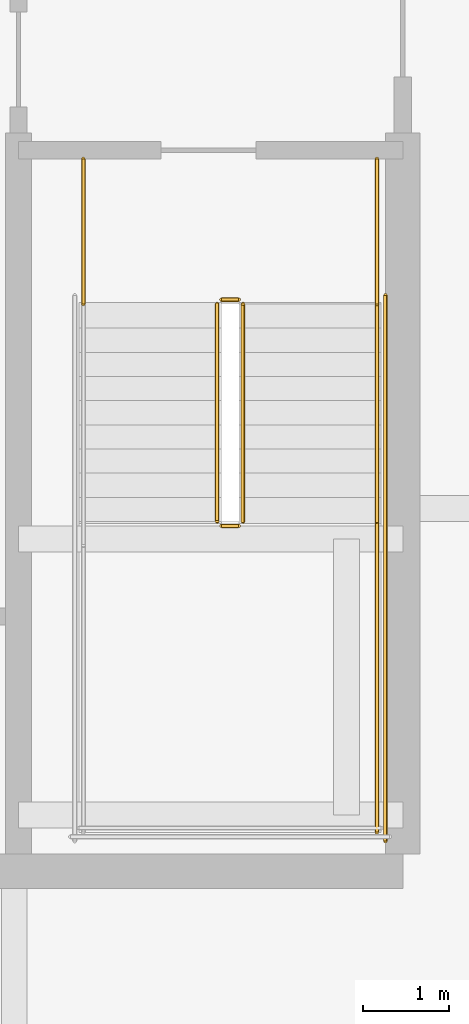
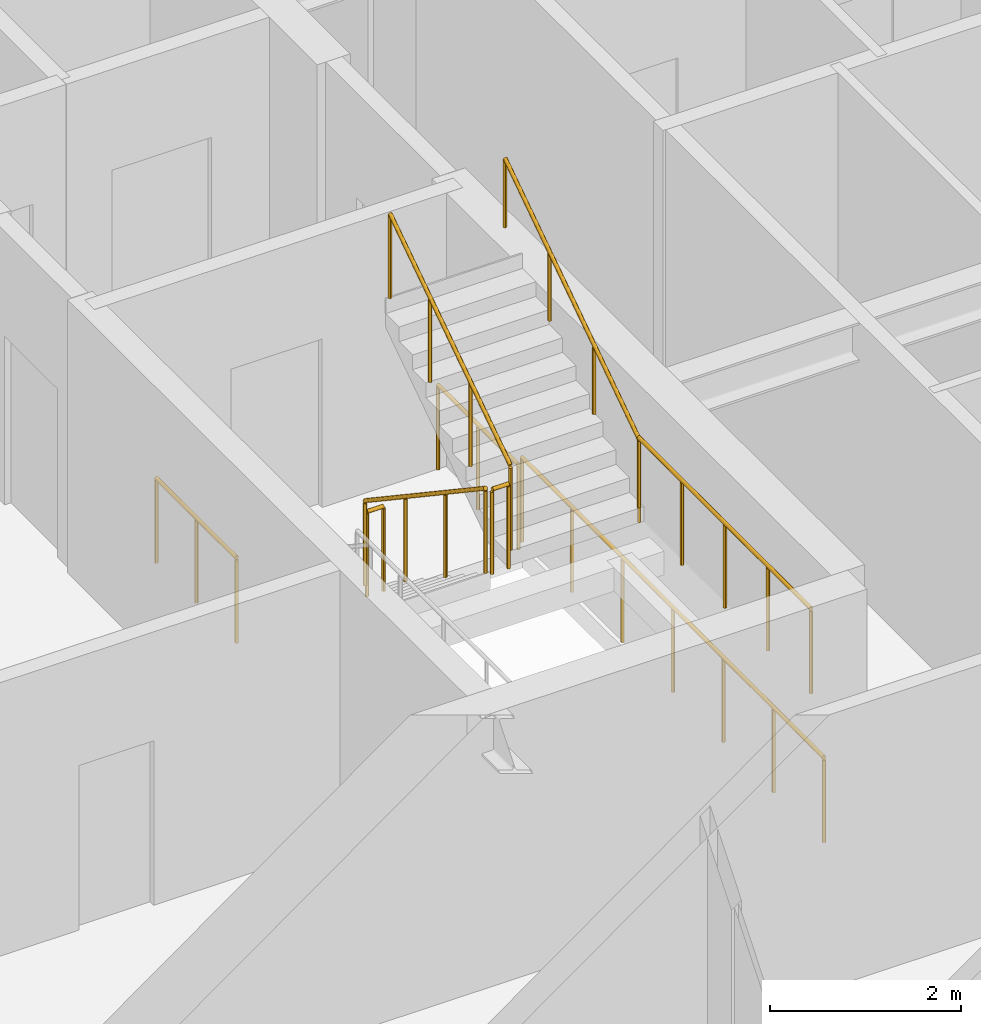
# One storey, part 33 of 34: 9 railings.
"""IFC4 building model written with IfcOpenShell, lengths in metres."""

from ifc_helpers import new_model, si_unit, direction, frame, origin, origin_2d, place, context, subcontext, project, spatial, circle, extrude, material, type_object, element, save


model = new_model("IFC4")

# Units and contexts
model_context = context("Model", 3, precision=1e-05, world=origin(), true_north=direction((0.0, 1.0)))
body_context = subcontext(model_context, "Body", "Model", "MODEL_VIEW")
ifc_project = project(units=[si_unit("LENGTHUNIT", "METRE"), si_unit("AREAUNIT", "SQUARE_METRE"), si_unit("VOLUMEUNIT", "CUBIC_METRE"), si_unit("PLANEANGLEUNIT", "RADIAN"), si_unit("MASSUNIT", "GRAM", prefix="KILO")], contexts=[model_context])

# Site, building, storey
site_placement = place(None, origin())
site = spatial("IfcSite", under=ifc_project, at=site_placement, CompositionType="ELEMENT")
building_placement = place(site_placement, origin())
building = spatial("IfcBuilding", under=site, at=building_placement, Name="Serunith Strait Residences", CompositionType="ELEMENT")
storey_placement = place(building_placement, frame((0.0, 0.0, 142.64990234375)))
storey = spatial("IfcBuildingStorey", under=building, at=storey_placement, Name="L35", CompositionType="ELEMENT", Elevation=142.64990234375)

# Railings
ifc_material = material(Name="Brushed stainless steel 316L", Category="steel")
railing_type_1 = type_object("IfcRailingType", Name="RLG-STAIR-GUARD", PredefinedType="BALUSTRADE", material=ifc_material)
railing_1_placement = place(storey_placement, frame((39.25, 23.3701171875, 0.1875)))
element("IfcRailing", 1, at=railing_1_placement, inside=storey, type_object=railing_type_1, Name="L35 ST-2 stair guard 1", PredefinedType="BALUSTRADE", context=body_context, shape_type="SweptSolid", body=[
    extrude(circle(Radius=0.02392578125, at=origin_2d()), frame((0.0, -0.001708984375, 1.0771484375), z_axis=(0.0, -0.830909170722, 0.55640807867), x_axis=(1.0, 0.0, 0.0)), (0.0, 0.0, 1.0), 3.02880859375),
    extrude(circle(Radius=0.02099609375, at=origin_2d()), origin(), (0.0, 0.0, 1.0), 1.050048828125),
    extrude(circle(Radius=0.02099609375, at=origin_2d()), frame((0.0, -0.840087890625, 0.5625)), (0.0, 0.0, 1.0), 1.050048828125),
    extrude(circle(Radius=0.02099609375, at=origin_2d()), frame((0.0, -1.679931640625, 1.125)), (0.0, 0.0, 1.0), 1.050048828125),
    extrude(circle(Radius=0.02099609375, at=origin_2d()), frame((0.0, -2.52001953125, 1.6875)), (0.0, 0.0, 1.0), 1.050048828125),
])
railing_2_placement = place(storey_placement, frame((39.300048828125, 20.800048828125, 1.875)))
element("IfcRailing", 2, at=railing_2_placement, inside=storey, type_object=railing_type_1, Name="L35 ST-2 stair guard 2", PredefinedType="BALUSTRADE", context=body_context, shape_type="SweptSolid", body=[
    extrude(circle(Radius=0.02392578125, at=origin_2d()), frame((0.001953125, 0.0, 1.076171875), z_axis=(1.0, 0.0, 0.0), x_axis=(0.0, 1.0, 0.0)), (0.0, 0.0, 1.0), 0.196044921875),
    extrude(circle(Radius=0.02099609375, at=origin_2d()), origin(), (0.0, 0.0, 1.0), 1.050048828125),
    extrude(circle(Radius=0.02099609375, at=origin_2d()), frame((0.199951171875, 0.0, 0.0)), (0.0, 0.0, 1.0), 1.050048828125),
])
railing_3_placement = place(storey_placement, frame((41.10009765625, 20.85009765625, 1.875)))
element("IfcRailing", 3, at=railing_3_placement, inside=storey, type_object=railing_type_1, Name="L35 ST-2 stair guard 4", PredefinedType="BALUSTRADE", context=body_context, shape_type="SweptSolid", body=[
    extrude(circle(Radius=0.02392578125, at=origin_2d()), frame((0.0, -0.001953125, 1.076171875), z_axis=(0.0, -1.0, 0.0), x_axis=(1.0, 0.0, 0.0)), (0.0, 0.0, 1.0), 3.59619140625),
    extrude(circle(Radius=0.02099609375, at=origin_2d()), origin(), (0.0, 0.0, 1.0), 1.050048828125),
    extrude(circle(Radius=0.02099609375, at=origin_2d()), frame((0.0, -0.89990234375, 0.0)), (0.0, 0.0, 1.0), 1.050048828125),
    extrude(circle(Radius=0.02099609375, at=origin_2d()), frame((0.0, -1.800048828125, 0.0)), (0.0, 0.0, 1.0), 1.050048828125),
    extrude(circle(Radius=0.02099609375, at=origin_2d()), frame((0.0, -2.7001953125, 0.0)), (0.0, 0.0, 1.0), 1.050048828125),
    extrude(circle(Radius=0.02099609375, at=origin_2d()), frame((0.0, -3.60009765625, 0.0)), (0.0, 0.0, 1.0), 1.050048828125),
])
railing_4_placement = place(storey_placement, frame((39.550048828125, 20.85009765625, 2.0625)))
element("IfcRailing", 4, at=railing_4_placement, inside=storey, type_object=railing_type_1, Name="L35 ST-2 stair guard 6", PredefinedType="BALUSTRADE", context=body_context, shape_type="SweptSolid", body=[
    extrude(circle(Radius=0.02392578125, at=origin_2d()), frame((0.0, 0.001708984375, 1.0771484375), z_axis=(0.0, 0.830909170722, 0.55640807867), x_axis=(-1.0, 0.0, 0.0)), (0.0, 0.0, 1.0), 3.02880859375),
    extrude(circle(Radius=0.02099609375, at=origin_2d()), origin(), (0.0, 0.0, 1.0), 1.050048828125),
    extrude(circle(Radius=0.02099609375, at=origin_2d()), frame((0.0, 0.840087890625, 0.5625)), (0.0, 0.0, 1.0), 1.050048828125),
    extrude(circle(Radius=0.02099609375, at=origin_2d()), frame((0.0, 1.679931640625, 1.125)), (0.0, 0.0, 1.0), 1.050048828125),
    extrude(circle(Radius=0.02099609375, at=origin_2d()), frame((0.0, 2.52001953125, 1.6875)), (0.0, 0.0, 1.0), 1.050048828125),
])
railing_5_placement = place(storey_placement, frame((39.300048828125, 23.419921875, 0.0)))
element("IfcRailing", 5, at=railing_5_placement, inside=storey, type_object=railing_type_1, Name="L35 ST-2 stair guard 7", PredefinedType="BALUSTRADE", context=body_context, shape_type="SweptSolid", body=[
    extrude(circle(Radius=0.02392578125, at=origin_2d()), frame((0.001953125, 0.0, 1.076171875), z_axis=(1.0, 0.0, 0.0), x_axis=(0.0, 1.0, 0.0)), (0.0, 0.0, 1.0), 0.196044921875),
    extrude(circle(Radius=0.02099609375, at=origin_2d()), origin(), (0.0, 0.0, 1.0), 1.050048828125),
    extrude(circle(Radius=0.02099609375, at=origin_2d()), frame((0.199951171875, 0.0, 0.0)), (0.0, 0.0, 1.0), 1.050048828125),
])
for number, where, name in (
    (6, (37.699951171875, 25.050048828125, 0.0), "L35 ST-2 stair guard 8"),
    (7, (41.10009765625, 25.050048828125, 0.0), "L35 ST-2 stair guard 9"),
):
    element("IfcRailing", number, at=place(storey_placement, frame(where)), inside=storey, type_object=railing_type_1, Name=name, PredefinedType="BALUSTRADE", context=body_context, shape_type="SweptSolid", body=[
        extrude(circle(Radius=0.02392578125, at=origin_2d()), frame((0.0, -0.001953125, 1.076171875), z_axis=(0.0, -1.0, 0.0), x_axis=(1.0, 0.0, 0.0)), (0.0, 0.0, 1.0), 1.676025390625),
        extrude(circle(Radius=0.02099609375, at=origin_2d()), origin(), (0.0, 0.0, 1.0), 1.050048828125),
        extrude(circle(Radius=0.02099609375, at=origin_2d()), frame((0.0, -0.83984375, 0.0)), (0.0, 0.0, 1.0), 1.050048828125),
        extrude(circle(Radius=0.02099609375, at=origin_2d()), frame((0.0, -1.679931640625, 0.0)), (0.0, 0.0, 1.0), 1.050048828125),
    ])
railing_6_placement = place(storey_placement, frame((41.199951171875, 23.469970703125, 0.0)))
element("IfcRailing", 8, at=railing_6_placement, inside=storey, type_object=railing_type_1, Name="L35 ST-2 stair guard 11", PredefinedType="BALUSTRADE", context=body_context, shape_type="SweptSolid", body=[
    extrude(circle(Radius=0.02392578125, at=origin_2d()), frame((0.0, -0.001953125, 1.076171875), z_axis=(0.0, -1.0, 0.0), x_axis=(1.0, 0.0, 0.0)), (0.0, 0.0, 1.0), 6.316162109375),
    extrude(circle(Radius=0.02099609375, at=origin_2d()), origin(), (0.0, 0.0, 1.0), 1.050048828125),
    extrude(circle(Radius=0.02099609375, at=origin_2d()), frame((0.0, -1.05322265625, 0.0)), (0.0, 0.0, 1.0), 1.050048828125),
    extrude(circle(Radius=0.02099609375, at=origin_2d()), frame((0.0, -2.106689453125, 0.0)), (0.0, 0.0, 1.0), 1.050048828125),
    extrude(circle(Radius=0.02099609375, at=origin_2d()), frame((0.0, -3.16015625, 0.0)), (0.0, 0.0, 1.0), 1.050048828125),
    extrude(circle(Radius=0.02099609375, at=origin_2d()), frame((0.0, -4.21337890625, 0.0)), (0.0, 0.0, 1.0), 1.050048828125),
    extrude(circle(Radius=0.02099609375, at=origin_2d()), frame((0.0, -5.2666015625, 0.0)), (0.0, 0.0, 1.0), 1.050048828125),
    extrude(circle(Radius=0.02099609375, at=origin_2d()), frame((0.0, -6.320068359375, 0.0)), (0.0, 0.0, 1.0), 1.050048828125),
])
railing_type_2 = type_object("IfcRailingType", Name="RLG-STAIR-HR", PredefinedType="HANDRAIL", material=ifc_material)
railing_7_placement = place(storey_placement, frame((41.10009765625, 20.85009765625, 2.0625)))
element("IfcRailing", 9, at=railing_7_placement, inside=storey, type_object=railing_type_2, Name="L35 ST-2 stair handrail 2", PredefinedType="HANDRAIL", context=body_context, shape_type="SweptSolid", body=[
    extrude(circle(Radius=0.02392578125, at=origin_2d()), frame((0.0, 0.001708984375, 0.876953125), z_axis=(0.0, 0.830185712471, 0.557486935101), x_axis=(-1.0, 0.0, 0.0)), (0.0, 0.0, 1.0), 3.368408203125),
    extrude(circle(Radius=0.02099609375, at=origin_2d()), origin(), (0.0, 0.0, 1.0), 0.849853515625),
    extrude(circle(Radius=0.02099609375, at=origin_2d()), frame((0.0, 0.933349609375, 0.626708984375)), (0.0, 0.0, 1.0), 0.849853515625),
    extrude(circle(Radius=0.02099609375, at=origin_2d()), frame((0.0, 1.866455078125, 1.25341796875)), (0.0, 0.0, 1.0), 0.849853515625),
    extrude(circle(Radius=0.02099609375, at=origin_2d()), frame((0.0, 2.7998046875, 1.880126953125)), (0.0, 0.0, 1.0), 0.849853515625),
])

save(model, "model.ifc")
